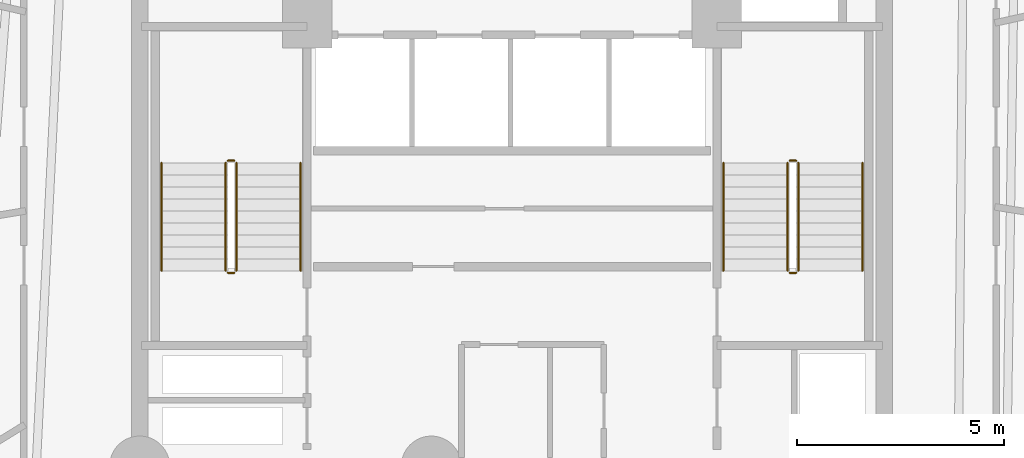
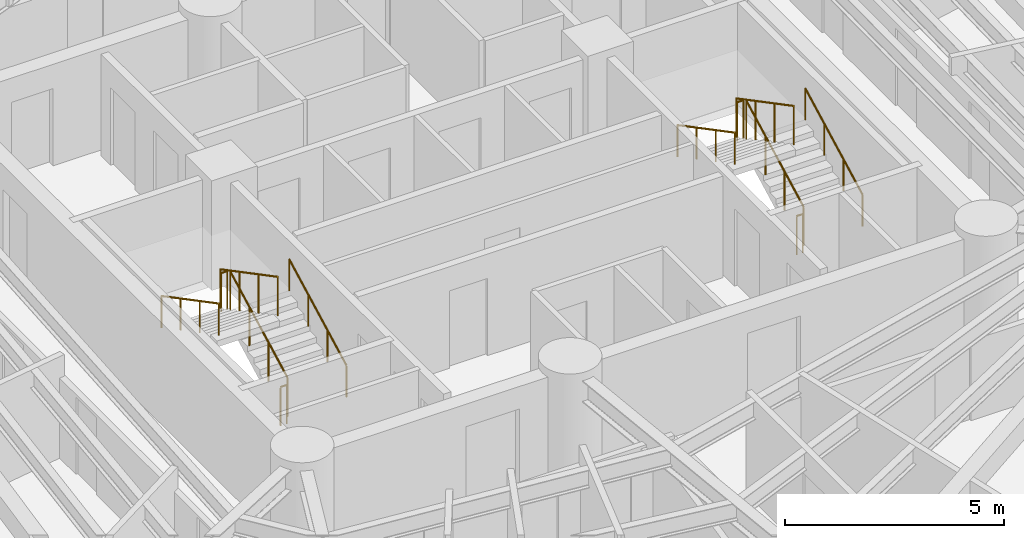
# One storey, part 8 of 8: 12 railings.
"""IFC4 building model written with IfcOpenShell, lengths in metres."""

from ifc_helpers import new_model, si_unit, direction, frame, origin, origin_2d, place, context, subcontext, project, spatial, circle, extrude, material, layer, layer_set, type_object, element, save


model = new_model("IFC4")

# Units and contexts
model_context = context("Model", 3, precision=1e-05, world=origin(), true_north=direction((0.0, 1.0)))
body_context = subcontext(model_context, "Body", "Model", "MODEL_VIEW")
ifc_project = project(units=[si_unit("LENGTHUNIT", "METRE"), si_unit("AREAUNIT", "SQUARE_METRE"), si_unit("VOLUMEUNIT", "CUBIC_METRE"), si_unit("PLANEANGLEUNIT", "RADIAN"), si_unit("MASSUNIT", "GRAM", prefix="KILO")], contexts=[model_context])

# Site, building, storey
site_placement = place(None, origin())
site = spatial("IfcSite", under=ifc_project, at=site_placement, CompositionType="ELEMENT")
building_placement = place(site_placement, origin())
building = spatial("IfcBuilding", under=site, at=building_placement, Name="Karkom Vertical University and Central Library", CompositionType="ELEMENT")
storey_placement = place(building_placement, frame((0.0, 0.0, 126.699951171875)))
storey = spatial("IfcBuildingStorey", under=building, at=storey_placement, Name="L35", CompositionType="ELEMENT", Elevation=126.699951171875)

# Railings
ifc_material_1 = material(Name="Painted galvanised steel balustrade", Category="steel")
ifc_layer_1 = layer(ifc_material_1, 0.06005859375)
ifc_layer_set_1 = layer_set([ifc_layer_1], Name="Painted galvanised steel balustrade")
railing_type_1 = type_object("IfcRailingType", Name="INT-RL-GUARD1100", PredefinedType="GUARDRAIL", material=ifc_layer_set_1)
railing_1_placement = place(storey_placement, frame((21.840087890625, 23.02001953125, 0.152587890625)))
element("IfcRailing", 1, at=railing_1_placement, inside=storey, type_object=railing_type_1, Name="Level 35 ST-1 stair guard 1", PredefinedType="GUARDRAIL", context=body_context, shape_type="SweptSolid", body=[
    extrude(circle(Radius=0.02392578125, at=origin_2d()), frame((0.0, 0.0, 1.076171875), z_axis=(0.0, 0.885065446896, 0.46546659892), x_axis=(-1.0, 0.0, 0.0)), (0.0, 0.0, 1.0), 2.94873046875),
    extrude(circle(Radius=0.02099609375, at=origin_2d()), origin(), (0.0, 0.0, 1.0), 1.052001953125),
    extrude(circle(Radius=0.02099609375, at=origin_2d()), frame((0.0, 0.869873046875, 0.45751953125)), (0.0, 0.0, 1.0), 1.052001953125),
    extrude(circle(Radius=0.02099609375, at=origin_2d()), frame((0.0, 1.739990234375, 0.9150390625)), (0.0, 0.0, 1.0), 1.052001953125),
    extrude(circle(Radius=0.02099609375, at=origin_2d()), frame((0.0, 2.60986328125, 1.37255859375)), (0.0, 0.0, 1.0), 1.052001953125),
])
railing_2_placement = place(storey_placement, frame((21.7900390625, 25.679931640625, 1.525146484375)))
element("IfcRailing", 2, at=railing_2_placement, inside=storey, type_object=railing_type_1, Name="Level 35 ST-1 stair guard 2", PredefinedType="GUARDRAIL", context=body_context, shape_type="SweptSolid", body=[
    extrude(circle(Radius=0.02392578125, at=origin_2d()), frame((0.0, 0.0, 1.076171875), z_axis=(-1.0, 0.0, 0.0), x_axis=(0.0, -1.0, 0.0)), (0.0, 0.0, 1.0), 0.16015625),
    extrude(circle(Radius=0.02099609375, at=origin_2d()), origin(), (0.0, 0.0, 1.0), 1.052001953125),
    extrude(circle(Radius=0.02099609375, at=origin_2d()), frame((-0.16015625, 0.0, 0.0)), (0.0, 0.0, 1.0), 1.052001953125),
])
railing_3_placement = place(storey_placement, frame((21.580078125, 25.6298828125, 1.677490234375)))
element("IfcRailing", 3, at=railing_3_placement, inside=storey, type_object=railing_type_1, Name="Level 35 ST-1 stair guard 3", PredefinedType="GUARDRAIL", context=body_context, shape_type="SweptSolid", body=[
    extrude(circle(Radius=0.02392578125, at=origin_2d()), frame((0.0, 0.0, 1.076171875), z_axis=(0.0, -0.885065446896, 0.46546659892), x_axis=(1.0, 0.0, 0.0)), (0.0, 0.0, 1.0), 2.94873046875),
    extrude(circle(Radius=0.02099609375, at=origin_2d()), origin(), (0.0, 0.0, 1.0), 1.052001953125),
    extrude(circle(Radius=0.02099609375, at=origin_2d()), frame((0.0, -0.869873046875, 0.45751953125)), (0.0, 0.0, 1.0), 1.052001953125),
    extrude(circle(Radius=0.02099609375, at=origin_2d()), frame((0.0, -1.739990234375, 0.9150390625)), (0.0, 0.0, 1.0), 1.052001953125),
    extrude(circle(Radius=0.02099609375, at=origin_2d()), frame((0.0, -2.60986328125, 1.37255859375)), (0.0, 0.0, 1.0), 1.052001953125),
])
railing_4_placement = place(storey_placement, frame((21.7900390625, 22.969970703125, 0.0)))
element("IfcRailing", 4, at=railing_4_placement, inside=storey, type_object=railing_type_1, Name="Level 35 ST-1 stair guard 4", PredefinedType="GUARDRAIL", context=body_context, shape_type="SweptSolid", body=[
    extrude(circle(Radius=0.02392578125, at=origin_2d()), frame((0.0, 0.0, 1.076171875), z_axis=(-1.0, 0.0, 0.0), x_axis=(0.0, -1.0, 0.0)), (0.0, 0.0, 1.0), 0.16015625),
    extrude(circle(Radius=0.02099609375, at=origin_2d()), origin(), (0.0, 0.0, 1.0), 1.052001953125),
    extrude(circle(Radius=0.02099609375, at=origin_2d()), frame((-0.16015625, 0.0, 0.0)), (0.0, 0.0, 1.0), 1.052001953125),
])
railing_5_placement = place(storey_placement, frame((35.419921875, 23.02001953125, 0.152587890625)))
element("IfcRailing", 5, at=railing_5_placement, inside=storey, type_object=railing_type_1, Name="Level 35 ST-2 stair guard 1", PredefinedType="GUARDRAIL", context=body_context, shape_type="SweptSolid", body=[
    extrude(circle(Radius=0.02392578125, at=origin_2d()), frame((0.0, 0.0, 1.076171875), z_axis=(0.0, 0.885065446896, 0.46546659892), x_axis=(-1.0, 0.0, 0.0)), (0.0, 0.0, 1.0), 2.94873046875),
    extrude(circle(Radius=0.02099609375, at=origin_2d()), origin(), (0.0, 0.0, 1.0), 1.052001953125),
    extrude(circle(Radius=0.02099609375, at=origin_2d()), frame((0.0, 0.869873046875, 0.45751953125)), (0.0, 0.0, 1.0), 1.052001953125),
    extrude(circle(Radius=0.02099609375, at=origin_2d()), frame((0.0, 1.739990234375, 0.9150390625)), (0.0, 0.0, 1.0), 1.052001953125),
    extrude(circle(Radius=0.02099609375, at=origin_2d()), frame((0.0, 2.60986328125, 1.37255859375)), (0.0, 0.0, 1.0), 1.052001953125),
])
railing_6_placement = place(storey_placement, frame((35.3701171875, 25.679931640625, 1.525146484375)))
element("IfcRailing", 6, at=railing_6_placement, inside=storey, type_object=railing_type_1, Name="Level 35 ST-2 stair guard 2", PredefinedType="GUARDRAIL", context=body_context, shape_type="SweptSolid", body=[
    extrude(circle(Radius=0.02392578125, at=origin_2d()), frame((0.0, 0.0, 1.076171875), z_axis=(-1.0, 0.0, 0.0), x_axis=(0.0, -1.0, 0.0)), (0.0, 0.0, 1.0), 0.16015625),
    extrude(circle(Radius=0.02099609375, at=origin_2d()), origin(), (0.0, 0.0, 1.0), 1.052001953125),
    extrude(circle(Radius=0.02099609375, at=origin_2d()), frame((-0.16015625, 0.0, 0.0)), (0.0, 0.0, 1.0), 1.052001953125),
])
railing_7_placement = place(storey_placement, frame((35.159912109375, 25.6298828125, 1.677490234375)))
element("IfcRailing", 7, at=railing_7_placement, inside=storey, type_object=railing_type_1, Name="Level 35 ST-2 stair guard 3", PredefinedType="GUARDRAIL", context=body_context, shape_type="SweptSolid", body=[
    extrude(circle(Radius=0.02392578125, at=origin_2d()), frame((0.0, 0.0, 1.076171875), z_axis=(0.0, -0.885065446896, 0.46546659892), x_axis=(1.0, 0.0, 0.0)), (0.0, 0.0, 1.0), 2.94873046875),
    extrude(circle(Radius=0.02099609375, at=origin_2d()), origin(), (0.0, 0.0, 1.0), 1.052001953125),
    extrude(circle(Radius=0.02099609375, at=origin_2d()), frame((0.0, -0.869873046875, 0.45751953125)), (0.0, 0.0, 1.0), 1.052001953125),
    extrude(circle(Radius=0.02099609375, at=origin_2d()), frame((0.0, -1.739990234375, 0.9150390625)), (0.0, 0.0, 1.0), 1.052001953125),
    extrude(circle(Radius=0.02099609375, at=origin_2d()), frame((0.0, -2.60986328125, 1.37255859375)), (0.0, 0.0, 1.0), 1.052001953125),
])
railing_8_placement = place(storey_placement, frame((35.3701171875, 22.969970703125, 0.0)))
element("IfcRailing", 8, at=railing_8_placement, inside=storey, type_object=railing_type_1, Name="Level 35 ST-2 stair guard 4", PredefinedType="GUARDRAIL", context=body_context, shape_type="SweptSolid", body=[
    extrude(circle(Radius=0.02392578125, at=origin_2d()), frame((0.0, 0.0, 1.076171875), z_axis=(-1.0, 0.0, 0.0), x_axis=(0.0, -1.0, 0.0)), (0.0, 0.0, 1.0), 0.16015625),
    extrude(circle(Radius=0.02099609375, at=origin_2d()), origin(), (0.0, 0.0, 1.0), 1.052001953125),
    extrude(circle(Radius=0.02099609375, at=origin_2d()), frame((-0.16015625, 0.0, 0.0)), (0.0, 0.0, 1.0), 1.052001953125),
])
ifc_material_2 = material(Name="Brushed stainless-steel tubular handrail", Category="steel")
ifc_layer_2 = layer(ifc_material_2, 0.048095703125)
ifc_layer_set_2 = layer_set([ifc_layer_2], Name="Brushed stainless-steel tubular handrail")
railing_type_2 = type_object("IfcRailingType", Name="INT-RL-HAND920", PredefinedType="HANDRAIL", material=ifc_layer_set_2)
railing_9_placement = place(storey_placement, frame((23.389892578125, 23.02001953125, 0.152587890625)))
element("IfcRailing", 9, at=railing_9_placement, inside=storey, type_object=railing_type_2, Name="Level 35 ST-1 stair handrail 1", PredefinedType="HANDRAIL", context=body_context, shape_type="SweptSolid", body=[
    extrude(circle(Radius=0.02392578125, at=origin_2d()), frame((0.0, 0.0, 0.8759765625), z_axis=(0.0, 0.885065446896, 0.46546659892), x_axis=(-1.0, 0.0, 0.0)), (0.0, 0.0, 1.0), 2.94873046875),
    extrude(circle(Radius=0.02099609375, at=origin_2d()), origin(), (0.0, 0.0, 1.0), 0.851806640625),
    extrude(circle(Radius=0.02099609375, at=origin_2d()), frame((0.0, 0.869873046875, 0.45751953125)), (0.0, 0.0, 1.0), 0.851806640625),
    extrude(circle(Radius=0.02099609375, at=origin_2d()), frame((0.0, 1.739990234375, 0.9150390625)), (0.0, 0.0, 1.0), 0.851806640625),
    extrude(circle(Radius=0.02099609375, at=origin_2d()), frame((0.0, 2.60986328125, 1.37255859375)), (0.0, 0.0, 1.0), 0.851806640625),
])
railing_10_placement = place(storey_placement, frame((20.030029296875, 25.6298828125, 1.677490234375)))
element("IfcRailing", 10, at=railing_10_placement, inside=storey, type_object=railing_type_2, Name="Level 35 ST-1 stair handrail 2", PredefinedType="HANDRAIL", context=body_context, shape_type="SweptSolid", body=[
    extrude(circle(Radius=0.02392578125, at=origin_2d()), frame((0.0, 0.0, 0.8759765625), z_axis=(0.0, -0.885065446896, 0.46546659892), x_axis=(1.0, 0.0, 0.0)), (0.0, 0.0, 1.0), 2.94873046875),
    extrude(circle(Radius=0.02099609375, at=origin_2d()), origin(), (0.0, 0.0, 1.0), 0.851806640625),
    extrude(circle(Radius=0.02099609375, at=origin_2d()), frame((0.0, -0.869873046875, 0.45751953125)), (0.0, 0.0, 1.0), 0.851806640625),
    extrude(circle(Radius=0.02099609375, at=origin_2d()), frame((0.0, -1.739990234375, 0.9150390625)), (0.0, 0.0, 1.0), 0.851806640625),
    extrude(circle(Radius=0.02099609375, at=origin_2d()), frame((0.0, -2.60986328125, 1.37255859375)), (0.0, 0.0, 1.0), 0.851806640625),
])
railing_11_placement = place(storey_placement, frame((36.969970703125, 23.02001953125, 0.152587890625)))
element("IfcRailing", 11, at=railing_11_placement, inside=storey, type_object=railing_type_2, Name="Level 35 ST-2 stair handrail 1", PredefinedType="HANDRAIL", context=body_context, shape_type="SweptSolid", body=[
    extrude(circle(Radius=0.02392578125, at=origin_2d()), frame((0.0, 0.0, 0.8759765625), z_axis=(0.0, 0.885065446896, 0.46546659892), x_axis=(-1.0, 0.0, 0.0)), (0.0, 0.0, 1.0), 2.94873046875),
    extrude(circle(Radius=0.02099609375, at=origin_2d()), origin(), (0.0, 0.0, 1.0), 0.851806640625),
    extrude(circle(Radius=0.02099609375, at=origin_2d()), frame((0.0, 0.869873046875, 0.45751953125)), (0.0, 0.0, 1.0), 0.851806640625),
    extrude(circle(Radius=0.02099609375, at=origin_2d()), frame((0.0, 1.739990234375, 0.9150390625)), (0.0, 0.0, 1.0), 0.851806640625),
    extrude(circle(Radius=0.02099609375, at=origin_2d()), frame((0.0, 2.60986328125, 1.37255859375)), (0.0, 0.0, 1.0), 0.851806640625),
])
railing_12_placement = place(storey_placement, frame((33.610107421875, 25.6298828125, 1.677490234375)))
element("IfcRailing", 12, at=railing_12_placement, inside=storey, type_object=railing_type_2, Name="Level 35 ST-2 stair handrail 2", PredefinedType="HANDRAIL", context=body_context, shape_type="SweptSolid", body=[
    extrude(circle(Radius=0.02392578125, at=origin_2d()), frame((0.0, 0.0, 0.8759765625), z_axis=(0.0, -0.885065446896, 0.46546659892), x_axis=(1.0, 0.0, 0.0)), (0.0, 0.0, 1.0), 2.94873046875),
    extrude(circle(Radius=0.02099609375, at=origin_2d()), origin(), (0.0, 0.0, 1.0), 0.851806640625),
    extrude(circle(Radius=0.02099609375, at=origin_2d()), frame((0.0, -0.869873046875, 0.45751953125)), (0.0, 0.0, 1.0), 0.851806640625),
    extrude(circle(Radius=0.02099609375, at=origin_2d()), frame((0.0, -1.739990234375, 0.9150390625)), (0.0, 0.0, 1.0), 0.851806640625),
    extrude(circle(Radius=0.02099609375, at=origin_2d()), frame((0.0, -2.60986328125, 1.37255859375)), (0.0, 0.0, 1.0), 0.851806640625),
])

save(model, "model.ifc")
